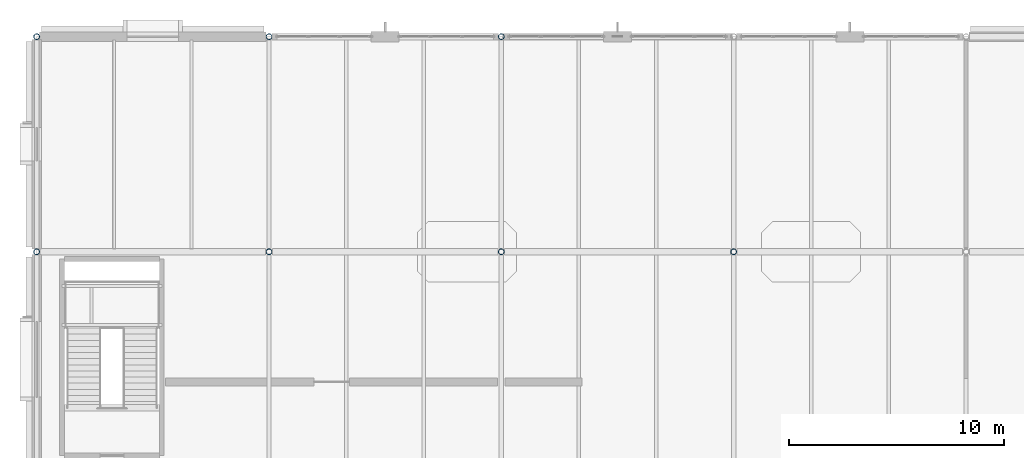
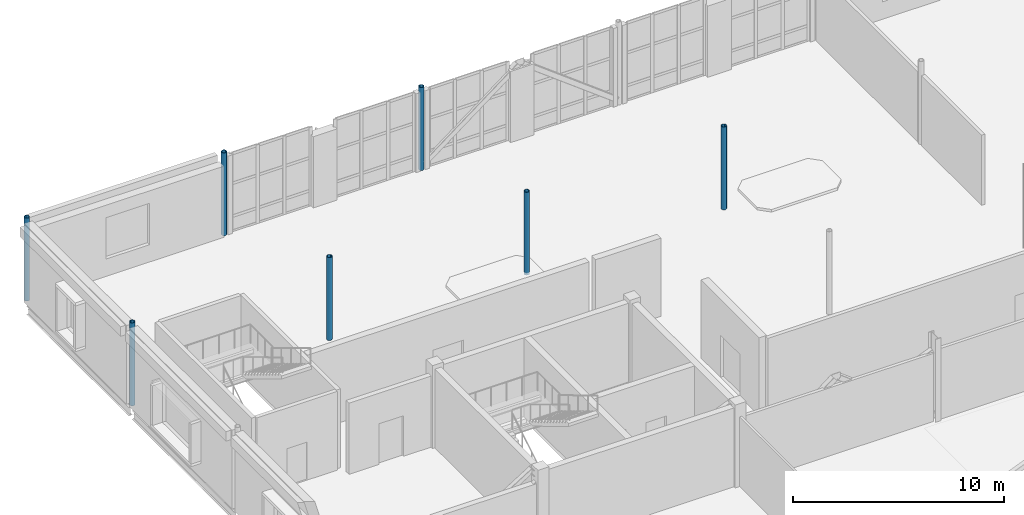
# One storey, part 8 of 100: 7 columns.
"""IFC4 building model written with IfcOpenShell, lengths in metres."""

import ifcopenshell
import ifcopenshell.guid

model = None  # the IFC model being written
_history = None  # IfcOwnerHistory: only IFC2X3 demands one
_inside = {}  # id of a spatial element -> (the spatial element, [elements in it])
_under = {}  # id of a project, library or spatial element -> (it, [spatial elements below it])
_declared = {}  # id of a project -> (the project, [libraries it declares])
_typed = {}  # id of a type object -> (the type object, [elements of that type])
_made_of = {}  # id of a material, layer set ... -> (it, [elements and type objects made of it])


def new_model(schema):
    """Start an empty IFC model of exactly this schema.

    Asked for "IFC4X3", IfcOpenShell would pick the latest addendum, in which some entities
    have other attributes; the version numbers below select the first issue.
    IFC2X3 requires an IfcOwnerHistory on every rooted entity: one is made here for all.
    """
    global model, _history
    if schema == "IFC4X3":
        model = ifcopenshell.file(schema_version=(4, 3, 0, 0))
    else:
        model = ifcopenshell.file(schema=schema)
    _inside.clear()
    _under.clear()
    _declared.clear()
    _typed.clear()
    _made_of.clear()
    _history = None
    if model.schema == "IFC2X3":
        org = make("IfcOrganization", Name="unknown")
        user = make(
            "IfcPersonAndOrganization",
            ThePerson=make("IfcPerson", FamilyName="unknown"),
            TheOrganization=org,
        )
        app = make(
            "IfcApplication",
            ApplicationDeveloper=org,
            Version="unknown",
            ApplicationFullName="unknown",
            ApplicationIdentifier="unknown",
        )
        _history = make(
            "IfcOwnerHistory",
            OwningUser=user,
            OwningApplication=app,
            ChangeAction="ADDED",
            CreationDate=0,
        )
    return model


def make(cls, **values):
    """One entity of the class cls with the attributes given. An attribute that is None is left unset."""
    return model.create_entity(
        cls, **{name: value for name, value in values.items() if value is not None}
    )


def rooted(cls, **values):
    """An entity with a GlobalId (a new one), such as an element, a storey or a relation."""
    return make(cls, GlobalId=ifcopenshell.guid.new(), OwnerHistory=_history, **values)


def si_unit(unit_type, name, prefix=None):
    """IfcSIUnit, for example si_unit("LENGTHUNIT", "METRE", prefix="MILLI")."""
    return make("IfcSIUnit", UnitType=unit_type, Prefix=prefix, Name=name)


def assignment(units):
    """IfcUnitAssignment: the units of a project."""
    return None if units is None else make("IfcUnitAssignment", Units=units)


def point(xyz):
    """IfcCartesianPoint."""
    return None if xyz is None else make("IfcCartesianPoint", Coordinates=xyz)


def direction(xyz):
    """IfcDirection."""
    return None if xyz is None else make("IfcDirection", DirectionRatios=xyz)


def frame(location, z_axis=None, x_axis=None):
    """IfcAxis2Placement3D, a coordinate frame: its origin and axes. An axis left out is left unset."""
    return make(
        "IfcAxis2Placement3D",
        Location=point(location),
        Axis=direction(z_axis),
        RefDirection=direction(x_axis),
    )


def frame_2d(location, x_axis=None):
    """IfcAxis2Placement2D, a coordinate frame in the plane: its origin and x axis."""
    return make(
        "IfcAxis2Placement2D", Location=point(location), RefDirection=direction(x_axis)
    )


def origin():
    """The frame at (0, 0, 0) with its axes left unset."""
    return frame((0.0, 0.0, 0.0))


def origin_2d():
    """The frame at (0, 0) in the plane with its x axis left unset."""
    return frame_2d((0.0, 0.0))


def place(relative_to, where):
    """IfcLocalPlacement: puts the frame where relative to a parent placement (None: the world)."""
    return make(
        "IfcLocalPlacement", PlacementRelTo=relative_to, RelativePlacement=where
    )


def context(
    kind, dimensions, precision=None, world=None, true_north=None, identifier=None
):
    """IfcGeometricRepresentationContext, for example the 3D "Model" context."""
    return make(
        "IfcGeometricRepresentationContext",
        ContextIdentifier=identifier,
        ContextType=kind,
        CoordinateSpaceDimension=dimensions,
        Precision=precision,
        WorldCoordinateSystem=world,
        TrueNorth=true_north,
    )


def subcontext(parent, identifier, kind, view, scale=None):
    """IfcGeometricRepresentationSubContext, for example "Body" below "Model"."""
    return make(
        "IfcGeometricRepresentationSubContext",
        ContextIdentifier=identifier,
        ContextType=kind,
        ParentContext=parent,
        TargetScale=scale,
        TargetView=view,
    )


def project(units=None, contexts=None):
    """IfcProject with its units and contexts."""
    return rooted(
        "IfcProject",
        Name="project",
        RepresentationContexts=contexts,
        UnitsInContext=assignment(units),
    )


def spatial(cls, under=None, at=None, **own):
    """A site, building, storey or space (cls), placed at a placement, below another one or the project."""
    s = rooted(cls, ObjectPlacement=at, **own)
    if under is not None:
        _under.setdefault(under.id(), (under, []))[1].append(s)
    return s


def profile(cls, at=None, kind="AREA", **sizes):
    """A parametric profile (cls). Its sizes go by their IFC names, for example OverallWidth=200.0."""
    return make(cls, ProfileType=kind, Position=at, **sizes)


def hollow_circle(**sizes):
    """IfcCircleHollowProfileDef."""
    return profile("IfcCircleHollowProfileDef", **sizes)


def extrude(swept, where, along, depth):
    """IfcExtrudedAreaSolid: the profile swept, set in the frame where, extruded along a direction by depth."""
    return make(
        "IfcExtrudedAreaSolid",
        SweptArea=swept,
        Position=where,
        ExtrudedDirection=direction(along),
        Depth=depth,
    )


def shape(context_of_items, identifier, shape_type, items):
    """IfcShapeRepresentation: the items that make up one representation, for example the "Body"."""
    return make(
        "IfcShapeRepresentation",
        ContextOfItems=context_of_items,
        RepresentationIdentifier=identifier,
        RepresentationType=shape_type,
        Items=items,
    )


def material(Name=None, Category=None):
    """IfcMaterial."""
    return make("IfcMaterial", Name=Name, Category=Category)


def material_profile(
    of_material, cross_section, Name=None, Category=None, Priority=None
):
    """IfcMaterialProfile: a cross section and its material."""
    return make(
        "IfcMaterialProfile",
        Name=Name,
        Material=of_material,
        Profile=cross_section,
        Priority=Priority,
        Category=Category,
    )


def profile_set(profiles, Name=None, composite=None):
    """IfcMaterialProfileSet."""
    return make(
        "IfcMaterialProfileSet",
        Name=Name,
        MaterialProfiles=profiles,
        CompositeProfile=composite,
    )


def made_of(thing, what):
    """Note that an element or type object is made of a material, layer set ...; save() writes the relation."""
    if what is not None:
        _made_of.setdefault(what.id(), (what, []))[1].append(thing)
    return thing


def type_object(cls, material=None, **own):
    """A type object (cls), such as IfcWallType, which elements share."""
    return made_of(rooted(cls, **own), material)


def element(
    cls,
    number,
    at=None,
    inside=None,
    cuts=None,
    type_object=None,
    material=None,
    context=None,
    identifier="Body",
    shape_type=None,
    held_by="IfcProductDefinitionShape",
    body=None,
    shapes=None,
    **own,
):
    """One element of the class cls, such as IfcWall. Its Tag is "e" and its number.

    at: its placement. inside: the storey or other place that contains it. cuts: it is an
    opening in that element (IfcRelVoidsElement). A single representation is given by context,
    identifier, shape_type and body (its items); several are given by shapes. held_by: the class
    of the entity that holds the representations. save() writes the other relations.
    """
    e = rooted(cls, Tag="e%d" % number, ObjectPlacement=at, **own)
    if body is not None:
        shapes = [shape(context, identifier, shape_type, body)]
    if shapes is not None:
        e.Representation = make(held_by, Representations=shapes)
    if inside is not None:
        _inside.setdefault(inside.id(), (inside, []))[1].append(e)
    if cuts is not None:
        rooted(
            "IfcRelVoidsElement", RelatingBuildingElement=cuts, RelatedOpeningElement=e
        )
    if type_object is not None:
        _typed.setdefault(type_object.id(), (type_object, []))[1].append(e)
    return made_of(e, material)


def aggregate(whole, parts):
    """IfcRelAggregates: a whole, such as a stair, and the parts it consists of."""
    return rooted("IfcRelAggregates", RelatingObject=whole, RelatedObjects=parts)


def save(model, path):
    """Write the relations noted so far, then the file.

    IfcRelAggregates (storeys below a building ...), IfcRelContainedInSpatialStructure (elements
    in a storey), IfcRelDefinesByType, IfcRelAssociatesMaterial and IfcRelDeclares: one each for
    every whole, place, type object, material and project.
    """
    for whole, parts in _under.values():
        aggregate(whole, parts)
    for where, things in _inside.values():
        rooted(
            "IfcRelContainedInSpatialStructure",
            RelatedElements=things,
            RelatingStructure=where,
        )
    for kind, things in _typed.values():
        rooted("IfcRelDefinesByType", RelatedObjects=things, RelatingType=kind)
    for what, things in _made_of.values():
        rooted("IfcRelAssociatesMaterial", RelatedObjects=things, RelatingMaterial=what)
    for by, libraries in _declared.values():
        rooted("IfcRelDeclares", RelatingContext=by, RelatedDefinitions=libraries)
    model.write(path)


model = new_model("IFC4")

# Units and contexts
model_context = context("Model", 3, precision=1e-05, world=origin(), true_north=direction((0.0, 1.0)))
body_context = subcontext(model_context, "Body", "Model", "MODEL_VIEW")
ifc_project = project(units=[si_unit("LENGTHUNIT", "METRE"), si_unit("AREAUNIT", "SQUARE_METRE"), si_unit("VOLUMEUNIT", "CUBIC_METRE"), si_unit("PLANEANGLEUNIT", "RADIAN"), si_unit("MASSUNIT", "GRAM", prefix="KILO")], contexts=[model_context])

# Site, building, storey
site_placement = place(None, origin())
site = spatial("IfcSite", under=ifc_project, at=site_placement, CompositionType="ELEMENT")
building_placement = place(site_placement, origin())
building = spatial("IfcBuilding", under=site, at=building_placement, Name="Tasgan Crest Museum", CompositionType="ELEMENT")
storey_placement = place(building_placement, frame((0.0, 0.0, 9.60009765625)))
storey = spatial("IfcBuildingStorey", under=building, at=storey_placement, Name="L02", CompositionType="ELEMENT", Elevation=9.60009765625)

# Columns
ifc_material = material(Name="Steel S355J2", Category="steel")
ifc_material_profile = material_profile(ifc_material, hollow_circle(Radius=0.136474609375, WallThickness=0.012451171875, at=origin_2d()), Name="CHS 273x12.5")
ifc_profile_set = profile_set([ifc_material_profile], Name="Steel S355J2")
column_type = type_object("IfcColumnType", Name="COL-CHS273", PredefinedType="COLUMN", material=ifc_profile_set)
for number, where, z_axis, x_axis, name in (
    (1, (0.0, 102.0, 0.0), (0.0, 0.0, 1.0), (1.0, 0.0, 0.0), "Column 1/L L02"),
    (2, (0.0, 112.0, 0.0), (0.0, 0.0, 1.0), (1.0, 0.0, 0.0), "Column 1/M L02"),
    (3, (10.800048828125, 102.0, 0.0), (0.0, 0.0, 1.0), (1.0, 0.0, 0.0), "Column 2/L L02"),
    (4, (10.800048828125, 112.0, 0.0), (0.0, 0.0, 1.0), (1.0, 0.0, 0.0), "Column 2/M L02"),
    (5, (21.60009765625, 102.0, 0.0), (0.0, 0.0, 1.0), (1.0, 0.0, 0.0), "Column 3/L L02"),
    (6, (21.60009765625, 112.0, 0.0), (0.0, 0.0, 1.0), (1.0, 0.0, 0.0), "Column 3/M L02"),
    (7, (32.39990234375, 102.0, 0.0), (0.0, 0.0, 1.0), (1.0, 0.0, 0.0), "Column 4/L L02"),
):
    element("IfcColumn", number, at=place(storey_placement, frame(where, z_axis=z_axis, x_axis=x_axis)), inside=storey, type_object=column_type, Name=name, PredefinedType="COLUMN", context=body_context, shape_type="SweptSolid", body=[
        extrude(hollow_circle(Radius=0.136474609375, WallThickness=0.012451171875, at=origin_2d()), origin(), (0.0, 0.0, 1.0), 4.7998046875),
    ])

save(model, "model.ifc")
